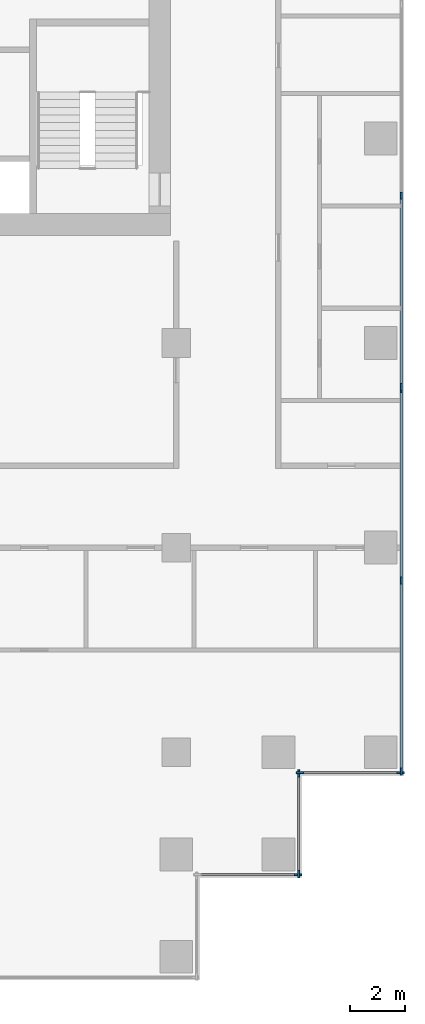
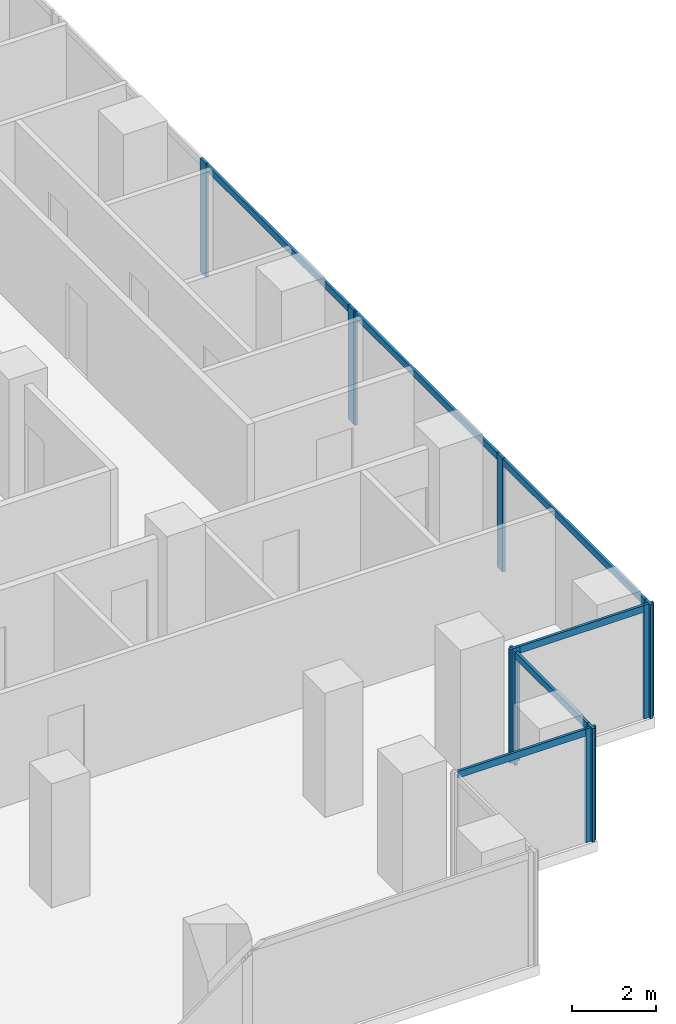
# One storey, part 3 of 10: 16 members, 5 elements without a shape of their own.
"""IFC4 building model written with IfcOpenShell, lengths in metres."""

from ifc_helpers import new_model, si_unit, direction, frame, origin, origin_2d, place, context, subcontext, project, spatial, rectangle, extrude, material, material_profile, profile_set, type_object, element, aggregate, save


model = new_model("IFC4")

# Units and contexts
model_context = context("Model", 3, precision=1e-05, world=origin(), true_north=direction((0.0, 1.0)))
body_context = subcontext(model_context, "Body", "Model", "MODEL_VIEW")
ifc_project = project(units=[si_unit("LENGTHUNIT", "METRE"), si_unit("AREAUNIT", "SQUARE_METRE"), si_unit("VOLUMEUNIT", "CUBIC_METRE"), si_unit("PLANEANGLEUNIT", "RADIAN"), si_unit("MASSUNIT", "GRAM", prefix="KILO")], contexts=[model_context])

# Site, building, storey
site_placement = place(None, origin())
site = spatial("IfcSite", under=ifc_project, at=site_placement, CompositionType="ELEMENT")
building_placement = place(site_placement, origin())
building = spatial("IfcBuilding", under=site, at=building_placement, Name="Pilkhan Gate Tower", CompositionType="ELEMENT")
storey_placement = place(building_placement, frame((0.0, 0.0, 165.699951171875)))
storey = spatial("IfcBuildingStorey", under=building, at=storey_placement, Name="L42", CompositionType="ELEMENT", Elevation=165.699951171875)

# Curtain wall, members
ifc_material_1 = material(Name="Pale anodised aluminium, clear low-iron double glazing", Category="aluminium")
curtain_wall_type = type_object("IfcCurtainWallType", Name="Office unitised curtain wall CW-O1", PredefinedType="USERDEFINED", material=ifc_material_1)
curtain_wall_1_placement = place(storey_placement, origin())
curtain_wall_1 = element("IfcCurtainWall", 1, at=curtain_wall_1_placement, inside=storey, type_object=curtain_wall_type, Name="Office unitised curtain wall CW-O1 L42 E", ObjectType="UNITISED CURTAIN WALL", PredefinedType="USERDEFINED")
ifc_material_2 = material(Name="Pale anodised aluminium", Category="aluminium")
ifc_material_profile_1 = material_profile(ifc_material_2, rectangle(XDim=0.070068359375, YDim=0.27490234375, at=origin_2d()), Name="Mullion 275x70")
ifc_profile_set_1 = profile_set([ifc_material_profile_1], Name="Pale anodised aluminium")
member_type_1 = type_object("IfcMemberType", Name="Mullion CW-O1 275x70", PredefinedType="MULLION", material=ifc_profile_set_1)
member_1_placement = place(storey_placement, frame((98.25, 51.784912109375, 0.0), z_axis=(0.0, 0.0, 1.0), x_axis=(-1.0, 0.0, 0.0)))
member_1 = element("IfcMember", 2, at=member_1_placement, type_object=member_type_1, Name="CW-O1 mullion 1", PredefinedType="MULLION", context=body_context, shape_type="SweptSolid", body=[
    extrude(rectangle(XDim=0.070068359375, YDim=0.27490234375, at=origin_2d()), origin(), (0.0, 0.0, 1.0), 3.300048828125),
])
member_2_placement = place(storey_placement, frame((98.25, 58.800048828125, 0.0), z_axis=(0.0, 0.0, 1.0), x_axis=(-1.0, 0.0, 0.0)))
member_2 = element("IfcMember", 3, at=member_2_placement, type_object=member_type_1, Name="CW-O1 mullion 2", PredefinedType="MULLION", context=body_context, shape_type="SweptSolid", body=[
    extrude(rectangle(XDim=0.070068359375, YDim=0.27490234375, at=origin_2d()), origin(), (0.0, 0.0, 1.0), 3.300048828125),
])
member_3_placement = place(storey_placement, frame((98.25, 65.81494140625, 0.0), z_axis=(0.0, 0.0, 1.0), x_axis=(-1.0, 0.0, 0.0)))
member_3 = element("IfcMember", 4, at=member_3_placement, type_object=member_type_1, Name="CW-O1 mullion 3", PredefinedType="MULLION", context=body_context, shape_type="SweptSolid", body=[
    extrude(rectangle(XDim=0.070068359375, YDim=0.27490234375, at=origin_2d()), origin(), (0.0, 0.0, 1.0), 3.300048828125),
])

curtain_wall_2_placement = place(storey_placement, origin())
curtain_wall_2 = element("IfcCurtainWall", 5, at=curtain_wall_2_placement, inside=storey, type_object=curtain_wall_type, Name="Office unitised curtain wall CW-O1 L42 E", ObjectType="UNITISED CURTAIN WALL", PredefinedType="USERDEFINED")
member_4_placement = place(storey_placement, frame((98.25, 65.885009765625, 0.0), z_axis=(0.0, 0.0, 1.0), x_axis=(-1.0, 0.0, 0.0)))
member_4 = element("IfcMember", 6, at=member_4_placement, type_object=member_type_1, Name="CW-O1 mullion 1", PredefinedType="MULLION", context=body_context, shape_type="SweptSolid", body=[
    extrude(rectangle(XDim=0.070068359375, YDim=0.27490234375, at=origin_2d()), origin(), (0.0, 0.0, 1.0), 3.300048828125),
])
member_5_placement = place(storey_placement, frame((98.25, 72.89990234375, 0.0), z_axis=(0.0, 0.0, 1.0), x_axis=(-1.0, 0.0, 0.0)))
member_5 = element("IfcMember", 7, at=member_5_placement, type_object=member_type_1, Name="CW-O1 mullion 2", PredefinedType="MULLION", context=body_context, shape_type="SweptSolid", body=[
    extrude(rectangle(XDim=0.070068359375, YDim=0.27490234375, at=origin_2d()), origin(), (0.0, 0.0, 1.0), 3.300048828125),
])

# Curtain wall, member
curtain_wall_3_placement = place(storey_placement, origin())
curtain_wall_3 = element("IfcCurtainWall", 8, at=curtain_wall_3_placement, inside=storey, type_object=curtain_wall_type, Name="Office unitised curtain wall CW-O1 L42 S", ObjectType="UNITISED CURTAIN WALL", PredefinedType="USERDEFINED")
member_6_placement = place(storey_placement, frame((94.465087890625, 48.0, 0.0), z_axis=(0.0, 0.0, 1.0), x_axis=(0.0, 1.0, 0.0)))
member_6 = element("IfcMember", 9, at=member_6_placement, type_object=member_type_1, Name="CW-O1 mullion 2", PredefinedType="MULLION", context=body_context, shape_type="SweptSolid", body=[
    extrude(rectangle(XDim=0.070068359375, YDim=0.27490234375, at=origin_2d()), origin(), (0.0, 0.0, 1.0), 3.300048828125),
])

# Curtain wall, members
curtain_wall_4_placement = place(storey_placement, origin())
curtain_wall_4 = element("IfcCurtainWall", 10, at=curtain_wall_4_placement, inside=storey, type_object=curtain_wall_type, Name="Office unitised curtain wall CW-O1 L42 E", ObjectType="UNITISED CURTAIN WALL", PredefinedType="USERDEFINED")
member_7_placement = place(storey_placement, frame((94.5, 48.034912109375, 0.0), z_axis=(0.0, 0.0, 1.0), x_axis=(-1.0, 0.0, 0.0)))
member_7 = element("IfcMember", 11, at=member_7_placement, type_object=member_type_1, Name="CW-O1 mullion 1", PredefinedType="MULLION", context=body_context, shape_type="SweptSolid", body=[
    extrude(rectangle(XDim=0.070068359375, YDim=0.27490234375, at=origin_2d()), origin(), (0.0, 0.0, 1.0), 3.300048828125),
])
member_8_placement = place(storey_placement, frame((94.5, 51.715087890625, 0.0), z_axis=(0.0, 0.0, 1.0), x_axis=(-1.0, 0.0, 0.0)))
member_8 = element("IfcMember", 12, at=member_8_placement, type_object=member_type_1, Name="CW-O1 mullion 2", PredefinedType="MULLION", context=body_context, shape_type="SweptSolid", body=[
    extrude(rectangle(XDim=0.070068359375, YDim=0.27490234375, at=origin_2d()), origin(), (0.0, 0.0, 1.0), 3.300048828125),
])

curtain_wall_5_placement = place(storey_placement, origin())
curtain_wall_5 = element("IfcCurtainWall", 13, at=curtain_wall_5_placement, inside=storey, type_object=curtain_wall_type, Name="Office unitised curtain wall CW-O1 L42 S", ObjectType="UNITISED CURTAIN WALL", PredefinedType="USERDEFINED")
member_9_placement = place(storey_placement, frame((94.534912109375, 51.75, 0.0), z_axis=(0.0, 0.0, 1.0), x_axis=(0.0, 1.0, 0.0)))
member_9 = element("IfcMember", 14, at=member_9_placement, type_object=member_type_1, Name="CW-O1 mullion 1", PredefinedType="MULLION", context=body_context, shape_type="SweptSolid", body=[
    extrude(rectangle(XDim=0.070068359375, YDim=0.27490234375, at=origin_2d()), origin(), (0.0, 0.0, 1.0), 3.300048828125),
])
member_10_placement = place(storey_placement, frame((98.215087890625, 51.75, 0.0), z_axis=(0.0, 0.0, 1.0), x_axis=(0.0, 1.0, 0.0)))
member_10 = element("IfcMember", 15, at=member_10_placement, type_object=member_type_1, Name="CW-O1 mullion 2", PredefinedType="MULLION", context=body_context, shape_type="SweptSolid", body=[
    extrude(rectangle(XDim=0.070068359375, YDim=0.27490234375, at=origin_2d()), origin(), (0.0, 0.0, 1.0), 3.300048828125),
])

# Member
ifc_material_profile_2 = material_profile(ifc_material_2, rectangle(XDim=0.070068359375, YDim=0.199951171875, at=origin_2d()), Name="Transom 200x70")
ifc_profile_set_2 = profile_set([ifc_material_profile_2], Name="Pale anodised aluminium")
member_type_2 = type_object("IfcMemberType", Name="Transom CW-O1 200x70", PredefinedType="USERDEFINED", material=ifc_profile_set_2)
member_11_placement = place(storey_placement, frame((98.25, 51.820068359375, 3.199951171875), z_axis=(0.0, 1.0, 0.0), x_axis=(-1.0, 0.0, 0.0)))
member_11 = element("IfcMember", 16, at=member_11_placement, type_object=member_type_2, Name="CW-O1 transom 1", ObjectType="TRANSOM", PredefinedType="USERDEFINED", context=body_context, shape_type="SweptSolid", body=[
    extrude(rectangle(XDim=0.070068359375, YDim=0.199951171875, at=origin_2d()), origin(), (0.0, 0.0, 1.0), 6.94482421875),
])

member_12_placement = place(storey_placement, frame((98.25, 58.8349609375, 3.199951171875), z_axis=(0.0, 1.0, 0.0), x_axis=(-1.0, 0.0, 0.0)))
member_12 = element("IfcMember", 17, at=member_12_placement, type_object=member_type_2, Name="CW-O1 transom 2", ObjectType="TRANSOM", PredefinedType="USERDEFINED", context=body_context, shape_type="SweptSolid", body=[
    extrude(rectangle(XDim=0.070068359375, YDim=0.199951171875, at=origin_2d()), origin(), (0.0, 0.0, 1.0), 6.945068359375),
])

aggregate(curtain_wall_1, [member_1, member_2, member_3, member_11, member_12])

member_13_placement = place(storey_placement, frame((98.25, 65.919921875, 3.199951171875), z_axis=(0.0, 1.0, 0.0), x_axis=(-1.0, 0.0, 0.0)))
member_13 = element("IfcMember", 18, at=member_13_placement, type_object=member_type_2, Name="CW-O1 transom 1", ObjectType="TRANSOM", PredefinedType="USERDEFINED", context=body_context, shape_type="SweptSolid", body=[
    extrude(rectangle(XDim=0.070068359375, YDim=0.199951171875, at=origin_2d()), origin(), (0.0, 0.0, 1.0), 6.945068359375),
])

aggregate(curtain_wall_2, [member_4, member_5, member_13])

member_14_placement = place(storey_placement, frame((90.820068359375, 48.0, 3.199951171875), z_axis=(1.0, 0.0, 0.0), x_axis=(0.0, 1.0, 0.0)))
member_14 = element("IfcMember", 19, at=member_14_placement, type_object=member_type_2, Name="CW-O1 transom 1", ObjectType="TRANSOM", PredefinedType="USERDEFINED", context=body_context, shape_type="SweptSolid", body=[
    extrude(rectangle(XDim=0.070068359375, YDim=0.199951171875, at=origin_2d()), origin(), (0.0, 0.0, 1.0), 3.60986328125),
])

aggregate(curtain_wall_3, [member_6, member_14])

member_15_placement = place(storey_placement, frame((94.5, 48.070068359375, 3.199951171875), z_axis=(0.0, 1.0, 0.0), x_axis=(-1.0, 0.0, 0.0)))
member_15 = element("IfcMember", 20, at=member_15_placement, type_object=member_type_2, Name="CW-O1 transom 1", ObjectType="TRANSOM", PredefinedType="USERDEFINED", context=body_context, shape_type="SweptSolid", body=[
    extrude(rectangle(XDim=0.070068359375, YDim=0.199951171875, at=origin_2d()), origin(), (0.0, 0.0, 1.0), 3.60986328125),
])

aggregate(curtain_wall_4, [member_7, member_8, member_15])

member_16_placement = place(storey_placement, frame((94.570068359375, 51.75, 3.199951171875), z_axis=(1.0, 0.0, 0.0), x_axis=(0.0, 1.0, 0.0)))
member_16 = element("IfcMember", 21, at=member_16_placement, type_object=member_type_2, Name="CW-O1 transom 1", ObjectType="TRANSOM", PredefinedType="USERDEFINED", context=body_context, shape_type="SweptSolid", body=[
    extrude(rectangle(XDim=0.070068359375, YDim=0.199951171875, at=origin_2d()), origin(), (0.0, 0.0, 1.0), 3.60986328125),
])

aggregate(curtain_wall_5, [member_9, member_10, member_16])

save(model, "model.ifc")
